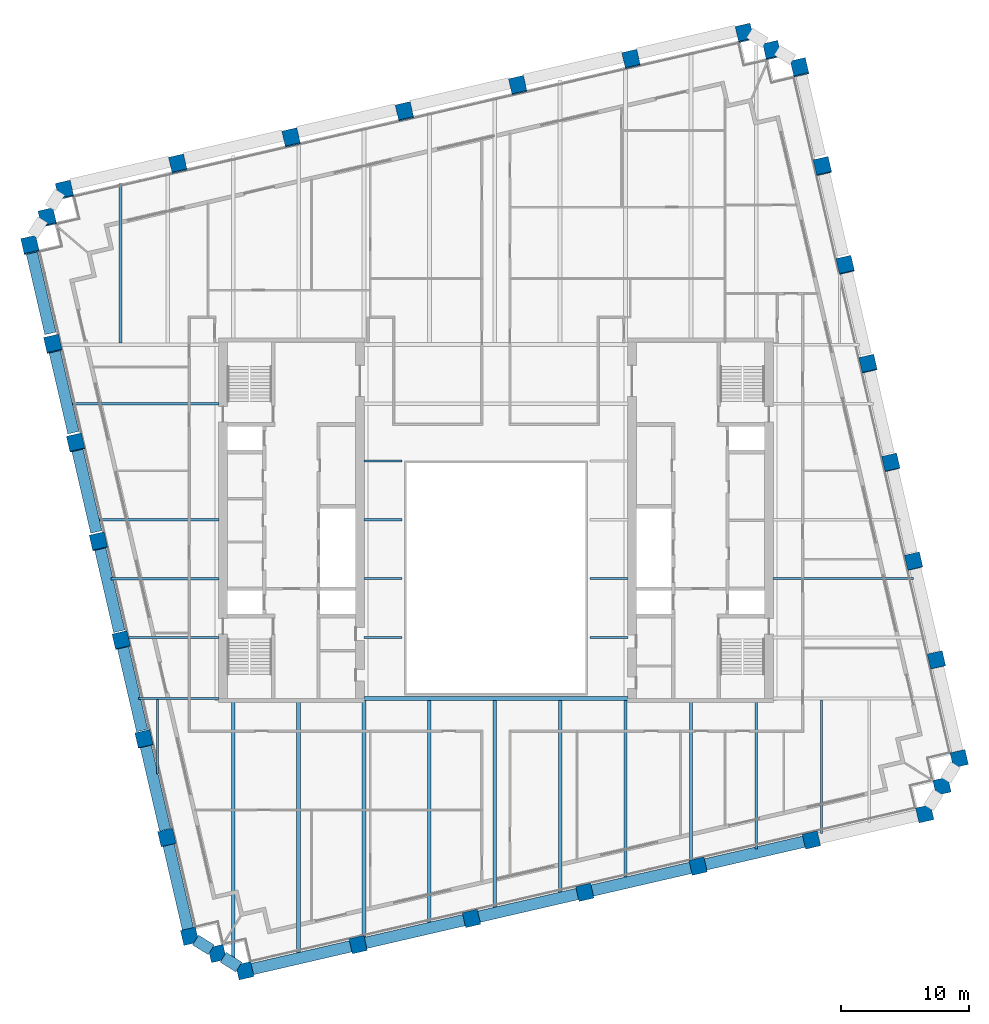
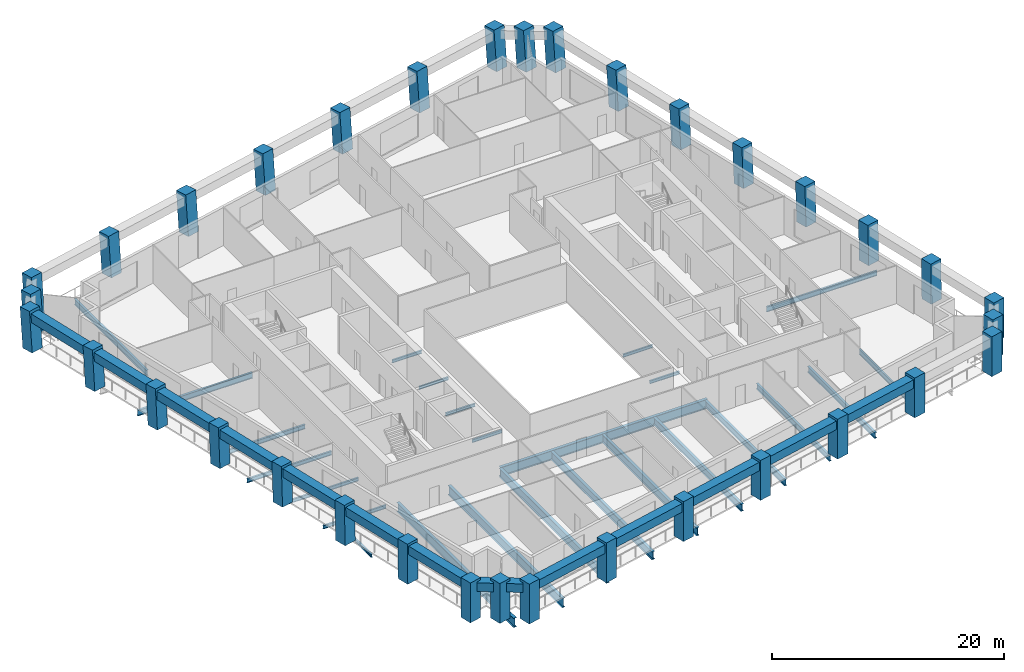
# One storey, part 1 of 11: 39 beams, 34 columns.
"""IFC4 building model written with IfcOpenShell, lengths in metres."""

from ifc_helpers import new_model, si_unit, direction, frame, origin, origin_2d, place, context, subcontext, project, spatial, rectangle, i_section, extrude, material, material_profile, profile_set, type_object, element, save


model = new_model("IFC4")

# Units and contexts
model_context = context("Model", 3, precision=1e-05, world=origin(), true_north=direction((0.0, 1.0)))
body_context = subcontext(model_context, "Body", "Model", "MODEL_VIEW")
ifc_project = project(units=[si_unit("LENGTHUNIT", "METRE"), si_unit("AREAUNIT", "SQUARE_METRE"), si_unit("VOLUMEUNIT", "CUBIC_METRE"), si_unit("PLANEANGLEUNIT", "RADIAN"), si_unit("MASSUNIT", "GRAM", prefix="KILO")], contexts=[model_context])

# Site, building, storey
site_placement = place(None, origin())
site = spatial("IfcSite", under=ifc_project, at=site_placement, CompositionType="ELEMENT")
building_placement = place(site_placement, origin())
building = spatial("IfcBuilding", under=site, at=building_placement, Name="Ogive Exchange Tower", CompositionType="ELEMENT")
storey_placement = place(building_placement, frame((0.0, 0.0, 175.800048828125)))
storey = spatial("IfcBuildingStorey", under=building, at=storey_placement, Name="L38", CompositionType="ELEMENT", Elevation=175.800048828125)

# Columns
ifc_material_1 = material(Name="Precast concrete C70/85 (limestone faced)", Category="masonry")
ifc_material_profile_1 = material_profile(ifc_material_1, rectangle(XDim=1.199951171875, YDim=1.199951171875, at=origin_2d()), Name="1200 x 1200")
ifc_profile_set_1 = profile_set([ifc_material_profile_1], Name="Precast concrete C70/85 (limestone faced)")
column_type = type_object("IfcColumnType", Name="Precast exoskeleton leg 1200 x 1200 C70/85", PredefinedType="COLUMN", material=ifc_profile_set_1)
for number, where, z_axis, x_axis, name in (
    (1, (-19.6494140625, -23.749267578125, 0.0), (0.0, 0.0, 1.0), (0.974370064785, 0.224951054344, 0.0), "Exoskeleton leg 1"),
    (2, (-10.782470703125, -21.7021484375, 0.0), (0.0, 0.0, 1.0), (0.974370064785, 0.224951054344, 0.0), "Exoskeleton leg 2"),
    (3, (-1.915771484375, -19.655029296875, 0.0), (0.0, 0.0, 1.0), (0.974370064785, 0.224951054344, 0.0), "Exoskeleton leg 3"),
    (4, (6.950927734375, -17.60791015625, 0.0), (0.0, 0.0, 1.0), (0.974370064785, 0.224951054344, 0.0), "Exoskeleton leg 4"),
    (5, (15.81787109375, -15.56103515625, 0.0), (0.0, 0.0, 1.0), (0.974370064785, 0.224951054344, 0.0), "Exoskeleton leg 5"),
    (6, (24.6845703125, -13.513916015625, 0.0), (0.0, 0.0, 1.0), (0.974370064785, 0.224951054344, 0.0), "Exoskeleton leg 6"),
    (7, (33.55126953125, -11.466796875, 0.0), (0.0, 0.0, 1.0), (0.974370064785, 0.224951054344, 0.0), "Exoskeleton leg 7"),
    (8, (36.249267578125, -7.1494140625, 0.0), (0.0, 0.0, 1.0), (0.974370064785, 0.224951054344, 0.0), "Exoskeleton leg 8"),
):
    element("IfcColumn", number, at=place(storey_placement, frame(where, z_axis=z_axis, x_axis=x_axis)), inside=storey, type_object=column_type, Name=name, PredefinedType="COLUMN", context=body_context, shape_type="SweptSolid", body=[
        extrude(rectangle(XDim=1.199951171875, YDim=1.199951171875, at=origin_2d()), origin(), (0.0, 0.0, 1.0), 4.199951171875),
    ])
column_1_placement = place(storey_placement, frame((34.467041015625, 0.570068359375, 0.0), z_axis=(-0.00267376016, 0.011683169396, 0.9999281747), x_axis=(-0.974798272484, -0.223088161862, 0.0)))
element("IfcColumn", 9, at=column_1_placement, inside=storey, type_object=column_type, Name="Exoskeleton leg 9", PredefinedType="COLUMN", context=body_context, shape_type="SweptSolid", body=[
    extrude(rectangle(XDim=1.199951171875, YDim=1.199951171875, at=origin_2d()), origin(), (0.0, 0.0, 1.0), 4.2001953125),
])
column_2_placement = place(storey_placement, frame((32.684814453125, 8.28955078125, 0.0), z_axis=(-0.005404479485, 0.023361298418, 0.999712479335), x_axis=(-0.974268511785, -0.225390476607, 0.0)))
element("IfcColumn", 10, at=column_2_placement, inside=storey, type_object=column_type, Name="Exoskeleton leg 10", PredefinedType="COLUMN", context=body_context, shape_type="SweptSolid", body=[
    extrude(rectangle(XDim=1.199951171875, YDim=1.199951171875, at=origin_2d()), origin(), (0.0, 0.0, 1.0), 4.201171875),
])
column_3_placement = place(storey_placement, frame((30.902587890625, 16.0087890625, 0.0), z_axis=(-0.0080747472, 0.035087390713, 0.999351626541), x_axis=(-0.974526982896, -0.224270282488, 0.0)))
element("IfcColumn", 11, at=column_3_placement, inside=storey, type_object=column_type, Name="Exoskeleton leg 11", PredefinedType="COLUMN", context=body_context, shape_type="SweptSolid", body=[
    extrude(rectangle(XDim=1.199951171875, YDim=1.199951171875, at=origin_2d()), origin(), (0.0, 0.0, 1.0), 4.20263671875),
])
column_4_placement = place(storey_placement, frame((29.12060546875, 23.728271484375, 0.0), z_axis=(-0.010799619665, 0.046740289408, 0.998848694028), x_axis=(-0.974329962248, -0.225124686929, 0.0)))
element("IfcColumn", 12, at=column_4_placement, inside=storey, type_object=column_type, Name="Exoskeleton leg 12", PredefinedType="COLUMN", context=body_context, shape_type="SweptSolid", body=[
    extrude(rectangle(XDim=1.199951171875, YDim=1.199951171875, at=origin_2d()), origin(), (0.0, 0.0, 1.0), 4.204833984375),
])
column_5_placement = place(storey_placement, frame((27.33837890625, 31.44775390625, 0.0), z_axis=(-0.013461799865, 0.058373149415, 0.998204064995), x_axis=(-0.974423835271, -0.224718021653, 0.0)))
element("IfcColumn", 13, at=column_5_placement, inside=storey, type_object=column_type, Name="Exoskeleton leg 13", PredefinedType="COLUMN", context=body_context, shape_type="SweptSolid", body=[
    extrude(rectangle(XDim=1.199951171875, YDim=1.199951171875, at=origin_2d()), origin(), (0.0, 0.0, 1.0), 4.20751953125),
])
column_6_placement = place(storey_placement, frame((25.55615234375, 39.1669921875, 0.0), z_axis=(-0.016118183171, 0.070038723994, 0.99741404708), x_axis=(-0.974526982896, -0.224270282488, 0.0)))
element("IfcColumn", 14, at=column_6_placement, inside=storey, type_object=column_type, Name="Exoskeleton leg 14", PredefinedType="COLUMN", context=body_context, shape_type="SweptSolid", body=[
    extrude(rectangle(XDim=1.199951171875, YDim=1.199951171875, at=origin_2d()), origin(), (0.0, 0.0, 1.0), 4.2109375),
])
for number, where, z_axis, x_axis, name in (
    (15, (23.774169921875, 46.886474609375, 0.0), (-0.018883571463, 0.081616417765, 0.996484907603), (-0.974262845894, -0.225414966474, 0.0), "Exoskeleton leg 15"),
    (16, (19.45654296875, 49.58447265625, 0.0), (-0.018825755928, 0.08155896722, 0.996490705315), (-0.974379530941, -0.22491004798, 0.0), "Exoskeleton leg 16"),
    (17, (10.589599609375, 47.537353515625, 0.0), (-0.018825755928, 0.08155896722, 0.996490705315), (-0.974379530941, -0.22491004798, 0.0), "Exoskeleton leg 17"),
    (18, (1.722900390625, 45.490234375, 0.0), (-0.018825666958, 0.081616506903, 0.99648599592), (-0.974414501624, -0.224758490439, 0.0), "Exoskeleton leg 18"),
    (19, (-7.143798828125, 43.443115234375, 0.0), (-0.018825666958, 0.081616506903, 0.99648599592), (-0.974414501624, -0.224758490439, 0.0), "Exoskeleton leg 19"),
    (20, (-16.010498046875, 41.396240234375, 0.0), (-0.018883660707, 0.081558878144, 0.996489616983), (-0.974227676113, -0.225566919327, 0.0), "Exoskeleton leg 20"),
    (21, (-24.877197265625, 39.34912109375, 0.0), (-0.018883571463, 0.081616417765, 0.996484907603), (-0.974262845894, -0.225414966474, 0.0), "Exoskeleton leg 21"),
    (22, (-33.744140625, 37.302001953125, 0.0), (-0.018825666958, 0.081616506903, 0.99648599592), (-0.974414501624, -0.224758490439, 0.0), "Exoskeleton leg 22"),
    (23, (-36.44189453125, 32.984619140625, 0.0), (-0.018883660707, 0.081558878144, 0.996489616983), (-0.974227676113, -0.225566919327, 0.0), "Exoskeleton leg 23"),
):
    element("IfcColumn", number, at=place(storey_placement, frame(where, z_axis=z_axis, x_axis=x_axis)), inside=storey, type_object=column_type, Name=name, PredefinedType="COLUMN", context=body_context, shape_type="SweptSolid", body=[
        extrude(rectangle(XDim=1.199951171875, YDim=1.199951171875, at=origin_2d()), origin(), (0.0, 0.0, 1.0), 4.21484375),
    ])
column_7_placement = place(storey_placement, frame((-34.659912109375, 25.26513671875, 0.0), z_axis=(-0.016118248597, 0.069981028979, 0.997418095708), x_axis=(-0.974486358888, -0.224446733862, 0.0)))
element("IfcColumn", 24, at=column_7_placement, inside=storey, type_object=column_type, Name="Exoskeleton leg 24", PredefinedType="COLUMN", context=body_context, shape_type="SweptSolid", body=[
    extrude(rectangle(XDim=1.199951171875, YDim=1.199951171875, at=origin_2d()), origin(), (0.0, 0.0, 1.0), 4.2109375),
])
column_8_placement = place(storey_placement, frame((-32.877685546875, 17.545654296875, 0.0), z_axis=(-0.013461799865, 0.058373149415, 0.998204064995), x_axis=(-0.974423835271, -0.224718021653, 0.0)))
element("IfcColumn", 25, at=column_8_placement, inside=storey, type_object=column_type, Name="Exoskeleton leg 25", PredefinedType="COLUMN", context=body_context, shape_type="SweptSolid", body=[
    extrude(rectangle(XDim=1.199951171875, YDim=1.199951171875, at=origin_2d()), origin(), (0.0, 0.0, 1.0), 4.20751953125),
])
column_9_placement = place(storey_placement, frame((-31.095458984375, 9.826416015625, 0.0), z_axis=(-0.010799648955, 0.046682353548, 0.998851403087), x_axis=(-0.974268511785, -0.225390476607, 0.0)))
element("IfcColumn", 26, at=column_9_placement, inside=storey, type_object=column_type, Name="Exoskeleton leg 26", PredefinedType="COLUMN", context=body_context, shape_type="SweptSolid", body=[
    extrude(rectangle(XDim=1.199951171875, YDim=1.199951171875, at=origin_2d()), origin(), (0.0, 0.0, 1.0), 4.204833984375),
])
column_10_placement = place(storey_placement, frame((-29.3134765625, 2.10693359375, 0.0), z_axis=(-0.0080747472, 0.035087390713, 0.999351626541), x_axis=(-0.974526982896, -0.224270282488, 0.0)))
element("IfcColumn", 27, at=column_10_placement, inside=storey, type_object=column_type, Name="Exoskeleton leg 27", PredefinedType="COLUMN", context=body_context, shape_type="SweptSolid", body=[
    extrude(rectangle(XDim=1.199951171875, YDim=1.199951171875, at=origin_2d()), origin(), (0.0, 0.0, 1.0), 4.20263671875),
])
column_11_placement = place(storey_placement, frame((-27.53125, -5.612548828125, 0.0), z_axis=(-0.005404472139, 0.023419379268, 0.999711120452), x_axis=(-0.974391195695, -0.224859506699, 0.0)))
element("IfcColumn", 28, at=column_11_placement, inside=storey, type_object=column_type, Name="Exoskeleton leg 28", PredefinedType="COLUMN", context=body_context, shape_type="SweptSolid", body=[
    extrude(rectangle(XDim=1.199951171875, YDim=1.199951171875, at=origin_2d()), origin(), (0.0, 0.0, 1.0), 4.201171875),
])
column_12_placement = place(storey_placement, frame((-25.7490234375, -13.331787109375, 0.0), z_axis=(-0.002731884952, 0.01168316756, 0.999928017609), x_axis=(-0.973733900744, -0.227689021567, 0.0)))
element("IfcColumn", 29, at=column_12_placement, inside=storey, type_object=column_type, Name="Exoskeleton leg 29", PredefinedType="COLUMN", context=body_context, shape_type="SweptSolid", body=[
    extrude(rectangle(XDim=1.199951171875, YDim=1.199951171875, at=origin_2d()), origin(), (0.0, 0.0, 1.0), 4.2001953125),
])
for number, where, z_axis, x_axis, name in (
    (30, (-23.966796875, -21.05126953125, 0.0), (0.0, 0.0, 1.0), (0.974370064785, 0.224951054344, 0.0), "Exoskeleton leg 30"),
    (31, (34.900146484375, -9.30810546875, 0.0), (0.0, 0.0, 1.0), (0.974370064785, 0.224951054344, 0.0), "Exoskeleton leg 31"),
):
    element("IfcColumn", number, at=place(storey_placement, frame(where, z_axis=z_axis, x_axis=x_axis)), inside=storey, type_object=column_type, Name=name, PredefinedType="COLUMN", context=body_context, shape_type="SweptSolid", body=[
        extrude(rectangle(XDim=1.199951171875, YDim=1.199951171875, at=origin_2d()), origin(), (0.0, 0.0, 1.0), 4.199951171875),
    ])
for number, where, z_axis, x_axis, name in (
    (32, (21.615234375, 48.2353515625, 0.0), (-0.018825666958, 0.081616506903, 0.99648599592), (-0.974414501624, -0.224758490439, 0.0), "Exoskeleton leg 32"),
    (33, (-35.093017578125, 35.143310546875, 0.0), (-0.018883571463, 0.081616417765, 0.996484907603), (-0.974262845894, -0.225414966474, 0.0), "Exoskeleton leg 33"),
):
    element("IfcColumn", number, at=place(storey_placement, frame(where, z_axis=z_axis, x_axis=x_axis)), inside=storey, type_object=column_type, Name=name, PredefinedType="COLUMN", context=body_context, shape_type="SweptSolid", body=[
        extrude(rectangle(XDim=1.199951171875, YDim=1.199951171875, at=origin_2d()), origin(), (0.0, 0.0, 1.0), 4.21484375),
    ])
column_13_placement = place(storey_placement, frame((-21.80810546875, -22.400146484375, 0.0), z_axis=(0.0, 0.0, 1.0), x_axis=(0.974370064785, 0.224951054344, 0.0)))
element("IfcColumn", 34, at=column_13_placement, inside=storey, type_object=column_type, Name="Exoskeleton leg 34", PredefinedType="COLUMN", context=body_context, shape_type="SweptSolid", body=[
    extrude(rectangle(XDim=1.199951171875, YDim=1.199951171875, at=origin_2d()), origin(), (0.0, 0.0, 1.0), 4.199951171875),
])

# Beams
ifc_material_2 = material(Name="Steel ASTM A992 Gr50", Category="steel")
ifc_material_profile_2 = material_profile(ifc_material_2, i_section(OverallWidth=0.300048828125, OverallDepth=0.969970703125, WebThickness=0.01611328125, FlangeThickness=0.02099609375, at=origin_2d()), Name="W1000x222")
ifc_profile_set_2 = profile_set([ifc_material_profile_2], Name="Steel ASTM A992 Gr50")
beam_type_1 = type_object("IfcBeamType", Name="Floor beam W1000x222", PredefinedType="JOIST", material=ifc_profile_set_2)
beam_1_placement = place(storey_placement, frame((-20.556884765625, -22.801513671875, -0.68505859375), z_axis=(0.0, 1.0, 0.0), x_axis=(-1.0, 0.0, 0.0)))
element("IfcBeam", 35, at=beam_1_placement, inside=storey, type_object=beam_type_1, Name="Floor beam", PredefinedType="JOIST", context=body_context, shape_type="SweptSolid", body=[
    extrude(i_section(OverallWidth=0.300048828125, OverallDepth=0.969970703125, WebThickness=0.01611328125, FlangeThickness=0.02099609375, at=origin_2d()), origin(), (0.0, 0.0, 1.0), 20.201416015625),
])
beam_2_placement = place(storey_placement, frame((-15.44189453125, -22.31591796875, -0.68505859375), z_axis=(0.0, 1.0, 0.0), x_axis=(-1.0, 0.0, 0.0)))
element("IfcBeam", 36, at=beam_2_placement, inside=storey, type_object=beam_type_1, Name="Floor beam", PredefinedType="JOIST", context=body_context, shape_type="SweptSolid", body=[
    extrude(i_section(OverallWidth=0.300048828125, OverallDepth=0.969970703125, WebThickness=0.01611328125, FlangeThickness=0.02099609375, at=origin_2d()), origin(), (0.0, 0.0, 1.0), 19.7158203125),
])
ifc_material_profile_3 = material_profile(ifc_material_2, i_section(OverallWidth=0.1650390625, OverallDepth=0.31005859375, WebThickness=0.005859375, FlangeThickness=0.009765625, at=origin_2d()), Name="W310x38.7")
ifc_profile_set_3 = profile_set([ifc_material_profile_3], Name="Steel ASTM A992 Gr50")
beam_type_2 = type_object("IfcBeamType", Name="Floor beam W310x38.7", PredefinedType="JOIST", material=ifc_profile_set_3)
for number, where, z_axis, x_axis, name in (
    (37, (-10.320068359375, 2.3212890625, -0.35498046875), (1.0, 0.0, 0.0), (0.0, 1.0, 0.0), "Floor beam"),
    (38, (7.3701171875, 2.3212890625, -0.35498046875), (1.0, 0.0, 0.0), (0.0, 1.0, 0.0), "Floor beam"),
    (39, (-10.320068359375, 6.9326171875, -0.35498046875), (1.0, 0.0, 0.0), (0.0, 1.0, 0.0), "Floor beam"),
    (40, (7.3701171875, 6.9326171875, -0.35498046875), (1.0, 0.0, 0.0), (0.0, 1.0, 0.0), "Floor beam"),
    (41, (-10.320068359375, 11.543701171875, -0.35498046875), (1.0, 0.0, 0.0), (0.0, 1.0, 0.0), "Floor beam"),
):
    element("IfcBeam", number, at=place(storey_placement, frame(where, z_axis=z_axis, x_axis=x_axis)), inside=storey, type_object=beam_type_2, Name=name, PredefinedType="JOIST", context=body_context, shape_type="SweptSolid", body=[
        extrude(i_section(OverallWidth=0.1650390625, OverallDepth=0.31005859375, WebThickness=0.005859375, FlangeThickness=0.009765625, at=origin_2d()), origin(), (0.0, 0.0, 1.0), 2.949951171875),
    ])
beam_3_placement = place(storey_placement, frame((-26.47216796875, -8.349609375, -0.35498046875), z_axis=(0.0, 1.0, 0.0), x_axis=(-1.0, 0.0, 0.0)))
element("IfcBeam", 42, at=beam_3_placement, inside=storey, type_object=beam_type_2, Name="Floor beam", PredefinedType="JOIST", context=body_context, shape_type="SweptSolid", body=[
    extrude(i_section(OverallWidth=0.1650390625, OverallDepth=0.31005859375, WebThickness=0.005859375, FlangeThickness=0.009765625, at=origin_2d()), origin(), (0.0, 0.0, 1.0), 5.819091796875),
])
ifc_material_profile_4 = material_profile(ifc_material_2, i_section(OverallWidth=0.1708984375, OverallDepth=0.35595703125, WebThickness=0.00732421875, FlangeThickness=0.01171875, at=origin_2d()), Name="W360x51")
ifc_profile_set_4 = profile_set([ifc_material_profile_4], Name="Steel ASTM A992 Gr50")
beam_type_3 = type_object("IfcBeamType", Name="Floor beam W360x51", PredefinedType="JOIST", material=ifc_profile_set_4)
beam_4_placement = place(storey_placement, frame((-28.90087890625, 2.3212890625, -0.3779296875), z_axis=(1.0, 0.0, 0.0), x_axis=(0.0, 1.0, 0.0)))
element("IfcBeam", 43, at=beam_4_placement, inside=storey, type_object=beam_type_3, Name="Floor beam", PredefinedType="JOIST", context=body_context, shape_type="SweptSolid", body=[
    extrude(i_section(OverallWidth=0.1708984375, OverallDepth=0.35595703125, WebThickness=0.00732421875, FlangeThickness=0.01171875, at=origin_2d()), origin(), (0.0, 0.0, 1.0), 7.220947265625),
])
ifc_material_profile_5 = material_profile(ifc_material_2, i_section(OverallWidth=0.177978515625, OverallDepth=0.406005859375, WebThickness=0.0078125, FlangeThickness=0.0126953125, at=origin_2d()), Name="W410x60")
ifc_profile_set_5 = profile_set([ifc_material_profile_5], Name="Steel ASTM A992 Gr50")
beam_type_4 = type_object("IfcBeamType", Name="Floor beam W410x60", PredefinedType="JOIST", material=ifc_profile_set_5)
beam_5_placement = place(storey_placement, frame((-30.115478515625, 6.9326171875, -0.403076171875), z_axis=(1.0, 0.0, 0.0), x_axis=(0.0, 1.0, 0.0)))
element("IfcBeam", 44, at=beam_5_placement, inside=storey, type_object=beam_type_4, Name="Floor beam", PredefinedType="JOIST", context=body_context, shape_type="SweptSolid", body=[
    extrude(i_section(OverallWidth=0.177978515625, OverallDepth=0.406005859375, WebThickness=0.0078125, FlangeThickness=0.0126953125, at=origin_2d()), origin(), (0.0, 0.0, 1.0), 8.435546875),
])
ifc_material_profile_6 = material_profile(ifc_material_2, i_section(OverallWidth=0.19091796875, OverallDepth=0.45703125, WebThickness=0.009033203125, FlangeThickness=0.014404296875, at=origin_2d()), Name="W460x74")
ifc_profile_set_6 = profile_set([ifc_material_profile_6], Name="Steel ASTM A992 Gr50")
beam_type_5 = type_object("IfcBeamType", Name="Floor beam W460x74", PredefinedType="JOIST", material=ifc_profile_set_6)
beam_6_placement = place(storey_placement, frame((-31.0302734375, 11.543701171875, -0.428466796875), z_axis=(1.0, 0.0, 0.0), x_axis=(0.0, 1.0, 0.0)))
element("IfcBeam", 45, at=beam_6_placement, inside=storey, type_object=beam_type_5, Name="Floor beam", PredefinedType="JOIST", context=body_context, shape_type="SweptSolid", body=[
    extrude(i_section(OverallWidth=0.19091796875, OverallDepth=0.45703125, WebThickness=0.009033203125, FlangeThickness=0.014404296875, at=origin_2d()), origin(), (0.0, 0.0, 1.0), 9.350341796875),
])
ifc_material_profile_7 = material_profile(ifc_material_2, i_section(OverallWidth=0.1669921875, OverallDepth=0.535888671875, WebThickness=0.01025390625, FlangeThickness=0.0166015625, at=origin_2d()), Name="W530x85")
ifc_profile_set_7 = profile_set([ifc_material_profile_7], Name="Steel ASTM A992 Gr50")
beam_type_6 = type_object("IfcBeamType", Name="Floor beam W530x85", PredefinedType="JOIST", material=ifc_profile_set_7)
beam_7_placement = place(storey_placement, frame((21.679931640625, 6.9326171875, -0.468017578125), z_axis=(1.0, 0.0, 0.0), x_axis=(0.0, 1.0, 0.0)))
element("IfcBeam", 46, at=beam_7_placement, inside=storey, type_object=beam_type_6, Name="Floor beam", PredefinedType="JOIST", context=body_context, shape_type="SweptSolid", body=[
    extrude(i_section(OverallWidth=0.1669921875, OverallDepth=0.535888671875, WebThickness=0.01025390625, FlangeThickness=0.0166015625, at=origin_2d()), origin(), (0.0, 0.0, 1.0), 11.00634765625),
])
beam_8_placement = place(storey_placement, frame((25.479248046875, -13.0185546875, -0.468017578125), z_axis=(0.0, 1.0, 0.0), x_axis=(-1.0, 0.0, 0.0)))
element("IfcBeam", 47, at=beam_8_placement, inside=storey, type_object=beam_type_6, Name="Floor beam", PredefinedType="JOIST", context=body_context, shape_type="SweptSolid", body=[
    extrude(i_section(OverallWidth=0.1669921875, OverallDepth=0.535888671875, WebThickness=0.01025390625, FlangeThickness=0.0166015625, at=origin_2d()), origin(), (0.0, 0.0, 1.0), 10.43994140625),
])
ifc_material_profile_8 = material_profile(ifc_material_2, i_section(OverallWidth=0.22802734375, OverallDepth=0.60205078125, WebThickness=0.010498046875, FlangeThickness=0.014892578125, at=origin_2d()), Name="W610x101")
ifc_profile_set_8 = profile_set([ifc_material_profile_8], Name="Steel ASTM A992 Gr50")
beam_type_7 = type_object("IfcBeamType", Name="Floor beam W610x101", PredefinedType="JOIST", material=ifc_profile_set_8)
beam_9_placement = place(storey_placement, frame((-33.126220703125, 20.62255859375, -0.5009765625), z_axis=(1.0, 0.0, 0.0), x_axis=(0.0, 1.0, 0.0)))
element("IfcBeam", 48, at=beam_9_placement, inside=storey, type_object=beam_type_7, Name="Floor beam", PredefinedType="JOIST", context=body_context, shape_type="SweptSolid", body=[
    extrude(i_section(OverallWidth=0.22802734375, OverallDepth=0.60205078125, WebThickness=0.010498046875, FlangeThickness=0.014892578125, at=origin_2d()), origin(), (0.0, 0.0, 1.0), 11.4462890625),
])
beam_10_placement = place(storey_placement, frame((15.2490234375, -15.23046875, -0.5009765625), z_axis=(0.0, 1.0, 0.0), x_axis=(-1.0, 0.0, 0.0)))
element("IfcBeam", 49, at=beam_10_placement, inside=storey, type_object=beam_type_7, Name="Floor beam", PredefinedType="JOIST", context=body_context, shape_type="SweptSolid", body=[
    extrude(i_section(OverallWidth=0.22802734375, OverallDepth=0.60205078125, WebThickness=0.010498046875, FlangeThickness=0.014892578125, at=origin_2d()), origin(), (0.0, 0.0, 1.0), 12.63037109375),
])
beam_11_placement = place(storey_placement, frame((20.364013671875, -14.199462890625, -0.5009765625), z_axis=(0.0, 1.0, 0.0), x_axis=(-1.0, 0.0, 0.0)))
element("IfcBeam", 50, at=beam_11_placement, inside=storey, type_object=beam_type_7, Name="Floor beam", PredefinedType="JOIST", context=body_context, shape_type="SweptSolid", body=[
    extrude(i_section(OverallWidth=0.22802734375, OverallDepth=0.60205078125, WebThickness=0.010498046875, FlangeThickness=0.014892578125, at=origin_2d()), origin(), (0.0, 0.0, 1.0), 11.599365234375),
])
beam_12_placement = place(storey_placement, frame((-29.38720703125, 25.37841796875, -0.5009765625), z_axis=(0.0, 1.0, 0.0), x_axis=(-1.0, 0.0, 0.0)))
element("IfcBeam", 51, at=beam_12_placement, inside=storey, type_object=beam_type_7, Name="Floor beam", PredefinedType="JOIST", context=body_context, shape_type="SweptSolid", body=[
    extrude(i_section(OverallWidth=0.22802734375, OverallDepth=0.60205078125, WebThickness=0.010498046875, FlangeThickness=0.014892578125, at=origin_2d()), origin(), (0.0, 0.0, 1.0), 12.4677734375),
])
ifc_material_profile_9 = material_profile(ifc_material_2, i_section(OverallWidth=0.25390625, OverallDepth=0.677978515625, WebThickness=0.01171875, FlangeThickness=0.016357421875, at=origin_2d()), Name="W690x125")
ifc_profile_set_9 = profile_set([ifc_material_profile_9], Name="Steel ASTM A992 Gr50")
beam_type_8 = type_object("IfcBeamType", Name="Floor beam W690x125", PredefinedType="JOIST", material=ifc_profile_set_9)
beam_13_placement = place(storey_placement, frame((10.1337890625, -16.411376953125, -0.5390625), z_axis=(0.0, 1.0, 0.0), x_axis=(-1.0, 0.0, 0.0)))
element("IfcBeam", 52, at=beam_13_placement, inside=storey, type_object=beam_type_8, Name="Floor beam", PredefinedType="JOIST", context=body_context, shape_type="SweptSolid", body=[
    extrude(i_section(OverallWidth=0.25390625, OverallDepth=0.677978515625, WebThickness=0.01171875, FlangeThickness=0.016357421875, at=origin_2d()), origin(), (0.0, 0.0, 1.0), 13.81640625),
])
ifc_material_profile_10 = material_profile(ifc_material_2, i_section(OverallWidth=0.26708984375, OverallDepth=0.75390625, WebThickness=0.01318359375, FlangeThickness=0.01708984375, at=origin_2d()), Name="W760x147")
ifc_profile_set_10 = profile_set([ifc_material_profile_10], Name="Steel ASTM A992 Gr50")
beam_type_9 = type_object("IfcBeamType", Name="Floor beam W760x147", PredefinedType="JOIST", material=ifc_profile_set_10)
beam_14_placement = place(storey_placement, frame((5.018798828125, -17.7421875, -0.5771484375), z_axis=(0.0, 1.0, 0.0), x_axis=(-1.0, 0.0, 0.0)))
element("IfcBeam", 53, at=beam_14_placement, inside=storey, type_object=beam_type_9, Name="Floor beam", PredefinedType="JOIST", context=body_context, shape_type="SweptSolid", body=[
    extrude(i_section(OverallWidth=0.26708984375, OverallDepth=0.75390625, WebThickness=0.01318359375, FlangeThickness=0.01708984375, at=origin_2d()), origin(), (0.0, 0.0, 1.0), 15.147216796875),
])
ifc_material_profile_11 = material_profile(ifc_material_2, i_section(OverallWidth=0.2919921875, OverallDepth=0.8359375, WebThickness=0.013916015625, FlangeThickness=0.018798828125, at=origin_2d()), Name="W840x176")
ifc_profile_set_11 = profile_set([ifc_material_profile_11], Name="Steel ASTM A992 Gr50")
beam_type_10 = type_object("IfcBeamType", Name="Floor beam W840x176", PredefinedType="JOIST", material=ifc_profile_set_11)
beam_15_placement = place(storey_placement, frame((-5.21142578125, -20.10400390625, -0.6181640625), z_axis=(0.0, 1.0, 0.0), x_axis=(-1.0, 0.0, 0.0)))
element("IfcBeam", 54, at=beam_15_placement, inside=storey, type_object=beam_type_10, Name="Floor beam", PredefinedType="JOIST", context=body_context, shape_type="SweptSolid", body=[
    extrude(i_section(OverallWidth=0.2919921875, OverallDepth=0.8359375, WebThickness=0.013916015625, FlangeThickness=0.018798828125, at=origin_2d()), origin(), (0.0, 0.0, 1.0), 17.509033203125),
])
beam_16_placement = place(storey_placement, frame((-0.096435546875, -18.923095703125, -0.6181640625), z_axis=(0.0, 1.0, 0.0), x_axis=(-1.0, 0.0, 0.0)))
element("IfcBeam", 55, at=beam_16_placement, inside=storey, type_object=beam_type_10, Name="Floor beam", PredefinedType="JOIST", context=body_context, shape_type="SweptSolid", body=[
    extrude(i_section(OverallWidth=0.2919921875, OverallDepth=0.8359375, WebThickness=0.013916015625, FlangeThickness=0.018798828125, at=origin_2d()), origin(), (0.0, 0.0, 1.0), 16.328125),
])
ifc_material_profile_12 = material_profile(ifc_material_2, i_section(OverallWidth=0.304931640625, OverallDepth=0.904052734375, WebThickness=0.01513671875, FlangeThickness=0.02001953125, at=origin_2d()), Name="W920x201")
ifc_profile_set_12 = profile_set([ifc_material_profile_12], Name="Steel ASTM A992 Gr50")
beam_type_11 = type_object("IfcBeamType", Name="Floor beam W920x201", PredefinedType="JOIST", material=ifc_profile_set_12)
beam_17_placement = place(storey_placement, frame((-10.32666015625, -21.135009765625, -0.652099609375), z_axis=(0.0, 1.0, 0.0), x_axis=(-1.0, 0.0, 0.0)))
element("IfcBeam", 56, at=beam_17_placement, inside=storey, type_object=beam_type_11, Name="Floor beam", PredefinedType="JOIST", context=body_context, shape_type="SweptSolid", body=[
    extrude(i_section(OverallWidth=0.304931640625, OverallDepth=0.904052734375, WebThickness=0.01513671875, FlangeThickness=0.02001953125, at=origin_2d()), origin(), (0.0, 0.0, 1.0), 18.534912109375),
])
ifc_material_profile_13 = material_profile(ifc_material_2, i_section(OverallWidth=0.300048828125, OverallDepth=0.97998046875, WebThickness=0.0166015625, FlangeThickness=0.026123046875, at=origin_2d()), Name="W1000x249")
ifc_profile_set_13 = profile_set([ifc_material_profile_13], Name="Steel ASTM A992 Gr50")
beam_type_12 = type_object("IfcBeamType", Name="Girder W1000x249", PredefinedType="BEAM", material=ifc_profile_set_13)
beam_18_placement = place(storey_placement, frame((-10.320068359375, -2.445068359375, -0.68994140625), z_axis=(1.0, 0.0, 0.0), x_axis=(0.0, 1.0, 0.0)))
element("IfcBeam", 57, at=beam_18_placement, inside=storey, type_object=beam_type_12, Name="Header girder", PredefinedType="BEAM", context=body_context, shape_type="SweptSolid", body=[
    extrude(i_section(OverallWidth=0.300048828125, OverallDepth=0.97998046875, WebThickness=0.0166015625, FlangeThickness=0.026123046875, at=origin_2d()), origin(), (0.0, 0.0, 1.0), 20.64013671875),
])
ifc_material_profile_14 = material_profile(ifc_material_2, i_section(OverallWidth=0.1650390625, OverallDepth=0.31005859375, WebThickness=0.005859375, FlangeThickness=0.009765625, at=origin_2d()), Name="W310x38.7")
ifc_profile_set_14 = profile_set([ifc_material_profile_14], Name="Steel ASTM A992 Gr50")
beam_type_13 = type_object("IfcBeamType", Name="Girder W310x38.7", PredefinedType="BEAM", material=ifc_profile_set_14)
beam_19_placement = place(storey_placement, frame((-10.320068359375, 16.155029296875, -0.35498046875), z_axis=(1.0, 0.0, 0.0), x_axis=(0.0, 1.0, 0.0)))
element("IfcBeam", 58, at=beam_19_placement, inside=storey, type_object=beam_type_13, Name="Trimmer girder", PredefinedType="BEAM", context=body_context, shape_type="SweptSolid", body=[
    extrude(i_section(OverallWidth=0.1650390625, OverallDepth=0.31005859375, WebThickness=0.005859375, FlangeThickness=0.009765625, at=origin_2d()), origin(), (0.0, 0.0, 1.0), 2.949951171875),
])
ifc_material_profile_15 = material_profile(ifc_material_2, i_section(OverallWidth=0.1708984375, OverallDepth=0.35595703125, WebThickness=0.00732421875, FlangeThickness=0.01171875, at=origin_2d()), Name="W360x51")
ifc_profile_set_15 = profile_set([ifc_material_profile_15], Name="Steel ASTM A992 Gr50")
beam_type_14 = type_object("IfcBeamType", Name="Girder W360x51", PredefinedType="BEAM", material=ifc_profile_set_15)
beam_20_placement = place(storey_placement, frame((-27.95068359375, -2.445068359375, -0.3779296875), z_axis=(1.0, 0.0, 0.0), x_axis=(0.0, 1.0, 0.0)))
element("IfcBeam", 59, at=beam_20_placement, inside=storey, type_object=beam_type_14, Name="Header girder", PredefinedType="BEAM", context=body_context, shape_type="SweptSolid", body=[
    extrude(i_section(OverallWidth=0.1708984375, OverallDepth=0.35595703125, WebThickness=0.00732421875, FlangeThickness=0.01171875, at=origin_2d()), origin(), (0.0, 0.0, 1.0), 6.270751953125),
])
ifc_material_profile_16 = material_profile(ifc_material_1, rectangle(XDim=0.89990234375, YDim=0.89990234375, at=origin_2d()), Name="900 x 900")
ifc_profile_set_16 = profile_set([ifc_material_profile_16], Name="Precast concrete C70/85 (limestone faced)")
beam_type_15 = type_object("IfcBeamType", Name="Precast spandrel 900 x 900 C70/85", PredefinedType="SPANDREL", material=ifc_profile_set_16)
beam_21_placement = place(storey_placement, frame((-19.084228515625, -23.61865234375, 3.5), z_axis=(0.974369944206, 0.224951576629, 0.0), x_axis=(-0.224951576629, 0.974369944206, 0.0)))
element("IfcBeam", 60, at=beam_21_placement, inside=storey, type_object=beam_type_15, Name="Spandrel 1", PredefinedType="SPANDREL", context=body_context, shape_type="SweptSolid", body=[
    extrude(rectangle(XDim=0.89990234375, YDim=0.89990234375, at=origin_2d()), origin(), (0.0, 0.0, 1.0), 7.940185546875),
])
beam_22_placement = place(storey_placement, frame((-10.21728515625, -21.57177734375, 3.5), z_axis=(0.974368388194, 0.224958316335, 0.0), x_axis=(-0.224958316335, 0.974368388194, 0.0)))
element("IfcBeam", 61, at=beam_22_placement, inside=storey, type_object=beam_type_15, Name="Spandrel 2", PredefinedType="SPANDREL", context=body_context, shape_type="SweptSolid", body=[
    extrude(rectangle(XDim=0.89990234375, YDim=0.89990234375, at=origin_2d()), origin(), (0.0, 0.0, 1.0), 7.93994140625),
])
for number, where, z_axis, x_axis, name in (
    (62, (-1.3505859375, -19.524658203125, 3.5), (0.974369944206, 0.224951576629, 0.0), (-0.224951576629, 0.974369944206, 0.0), "Spandrel 3"),
    (63, (7.51611328125, -17.4775390625, 3.5), (0.974369944206, 0.224951576629, 0.0), (-0.224951576629, 0.974369944206, 0.0), "Spandrel 4"),
    (64, (16.3828125, -15.430419921875, 3.5), (0.974369944206, 0.224951576629, 0.0), (-0.224951576629, 0.974369944206, 0.0), "Spandrel 5"),
):
    element("IfcBeam", number, at=place(storey_placement, frame(where, z_axis=z_axis, x_axis=x_axis)), inside=storey, type_object=beam_type_15, Name=name, PredefinedType="SPANDREL", context=body_context, shape_type="SweptSolid", body=[
        extrude(rectangle(XDim=0.89990234375, YDim=0.89990234375, at=origin_2d()), origin(), (0.0, 0.0, 1.0), 7.940185546875),
    ])
for number, where, z_axis, x_axis, name in (
    (65, (-36.390869140625, 32.76318359375, 3.5), (0.224940639537, -0.974372469174, 0.0), (0.974372469174, 0.224940639537, 0.0), "Spandrel 26"),
    (66, (-34.597412109375, 24.99462890625, 3.5), (0.224940639537, -0.974372469174, 0.0), (0.974372469174, 0.224940639537, 0.0), "Spandrel 27"),
):
    element("IfcBeam", number, at=place(storey_placement, frame(where, z_axis=z_axis, x_axis=x_axis)), inside=storey, type_object=beam_type_15, Name=name, PredefinedType="SPANDREL", context=body_context, shape_type="SweptSolid", body=[
        extrude(rectangle(XDim=0.89990234375, YDim=0.89990234375, at=origin_2d()), origin(), (0.0, 0.0, 1.0), 6.812744140625),
    ])
for number, where, z_axis, x_axis, name in (
    (67, (-32.803955078125, 17.226318359375, 3.5), (0.224932785481, -0.974374282304, 0.0), (0.974374282304, 0.224932785481, 0.0), "Spandrel 28"),
    (68, (-31.010498046875, 9.457763671875, 3.5), (0.224966806476, -0.974366427985, 0.0), (0.974366427985, 0.224966806476, 0.0), "Spandrel 29"),
    (69, (-29.216796875, 1.689208984375, 3.5), (0.224932785481, -0.974374282304, 0.0), (0.974374282304, 0.224932785481, 0.0), "Spandrel 30"),
):
    element("IfcBeam", number, at=place(storey_placement, frame(where, z_axis=z_axis, x_axis=x_axis)), inside=storey, type_object=beam_type_15, Name=name, PredefinedType="SPANDREL", context=body_context, shape_type="SweptSolid", body=[
        extrude(rectangle(XDim=0.89990234375, YDim=0.89990234375, at=origin_2d()), origin(), (0.0, 0.0, 1.0), 6.81298828125),
    ])
for number, where, z_axis, x_axis, name in (
    (70, (-27.42333984375, -6.079345703125, 3.5), (0.224940639537, -0.974372469174, 0.0), (0.974372469174, 0.224940639537, 0.0), "Spandrel 31"),
    (71, (-25.6298828125, -13.847900390625, 3.5), (0.224940639537, -0.974372469174, 0.0), (0.974372469174, 0.224940639537, 0.0), "Spandrel 32"),
):
    element("IfcBeam", number, at=place(storey_placement, frame(where, z_axis=z_axis, x_axis=x_axis)), inside=storey, type_object=beam_type_15, Name=name, PredefinedType="SPANDREL", context=body_context, shape_type="SweptSolid", body=[
        extrude(rectangle(XDim=0.89990234375, YDim=0.89990234375, at=origin_2d()), origin(), (0.0, 0.0, 1.0), 6.812744140625),
    ])
for number, where, z_axis, x_axis, name in (
    (72, (-23.501708984375, -21.342041015625, 3.5), (0.848074041941, -0.529877740036, 0.0), (0.529877740036, 0.848074041941, 0.0), "Spandrel 33"),
    (73, (-21.343017578125, -22.69091796875, 3.5), (0.848074041941, -0.529877740036, 0.0), (0.529877740036, 0.848074041941, 0.0), "Spandrel 34"),
):
    element("IfcBeam", number, at=place(storey_placement, frame(where, z_axis=z_axis, x_axis=x_axis)), inside=storey, type_object=beam_type_15, Name=name, PredefinedType="SPANDREL", context=body_context, shape_type="SweptSolid", body=[
        extrude(rectangle(XDim=0.89990234375, YDim=0.89990234375, at=origin_2d()), origin(), (0.0, 0.0, 1.0), 1.448486328125),
    ])

save(model, "model.ifc")
